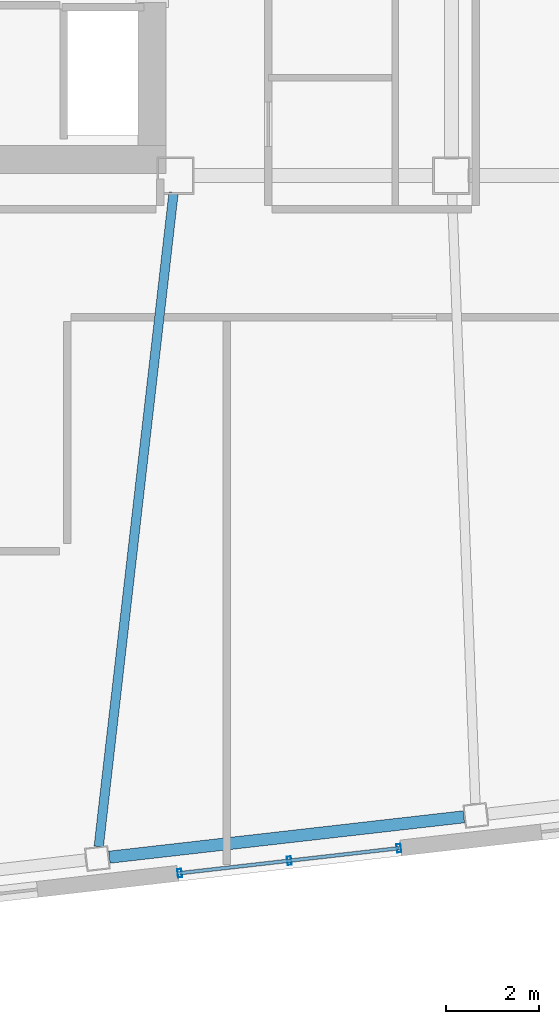
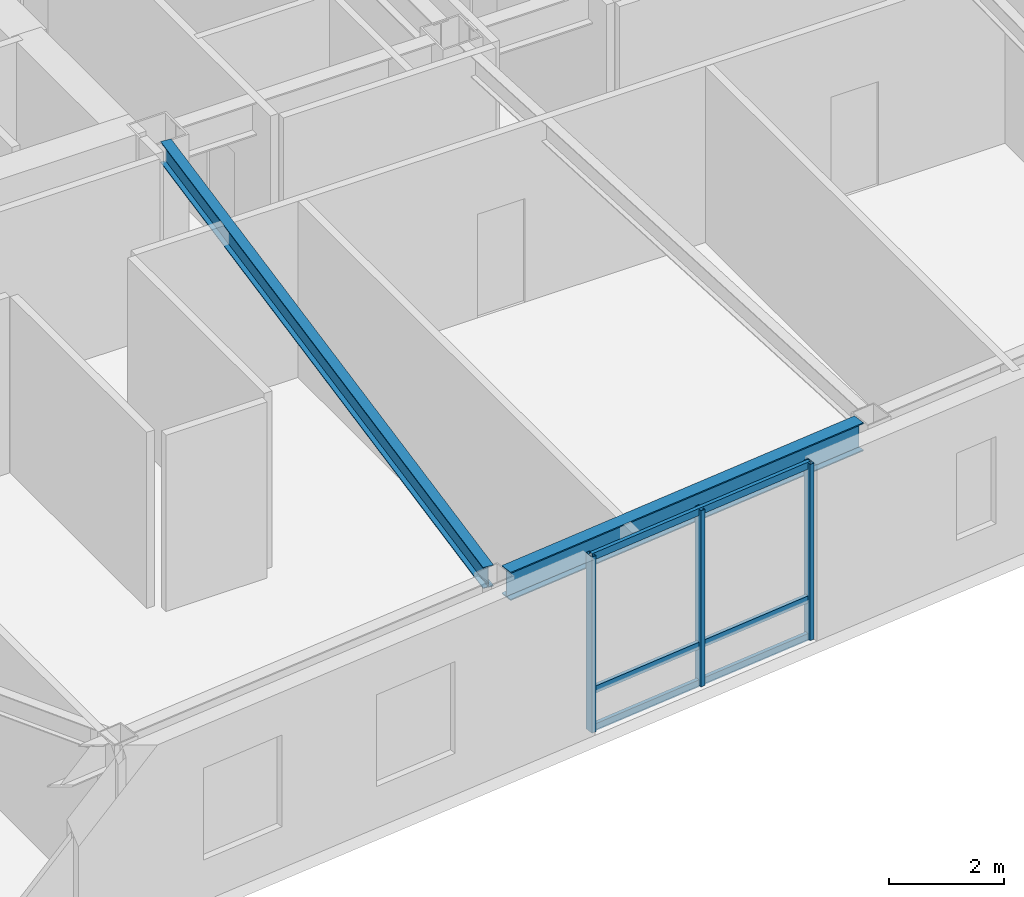
# One storey, part 6 of 19: 6 members, 2 beams, 1 element without a shape of its own.
"""IFC4 building model written with IfcOpenShell, lengths in metres."""

from ifc_helpers import new_model, si_unit, direction, frame, origin, origin_2d, place, context, subcontext, project, spatial, hollow_rectangle, i_section, extrude, material, layer, layer_set, material_profile, profile_set, type_object, element, aggregate, save


model = new_model("IFC4")

# Units and contexts
model_context = context("Model", 3, precision=1e-05, world=origin(), true_north=direction((0.0, 1.0)))
body_context = subcontext(model_context, "Body", "Model", "MODEL_VIEW")
ifc_project = project(units=[si_unit("LENGTHUNIT", "METRE"), si_unit("AREAUNIT", "SQUARE_METRE"), si_unit("VOLUMEUNIT", "CUBIC_METRE"), si_unit("PLANEANGLEUNIT", "RADIAN"), si_unit("MASSUNIT", "GRAM", prefix="KILO")], contexts=[model_context])

# Site, building, storey
site_placement = place(None, origin())
site = spatial("IfcSite", under=ifc_project, at=site_placement, CompositionType="ELEMENT")
building_placement = place(site_placement, origin())
building = spatial("IfcBuilding", under=site, at=building_placement, Name="Tavrogorsk Clinical Tower", CompositionType="ELEMENT")
storey_placement = place(building_placement, frame((0.0, 0.0, 243.0)))
storey = spatial("IfcBuildingStorey", under=building, at=storey_placement, Name="L56", CompositionType="ELEMENT", Elevation=243.0)

# Curtain wall, members
ifc_material_1 = material(Name="Anodised aluminium and triple IGU glazing", Category="aluminium")
ifc_layer = layer(ifc_material_1, 0.179931640625)
ifc_layer_set = layer_set([ifc_layer], Name="Anodised aluminium and triple IGU glazing")
curtain_wall_type = type_object("IfcCurtainWallType", Name="CW3_SouthSlot", PredefinedType="NOTDEFINED", material=ifc_layer_set)
curtain_wall_placement = place(storey_placement, origin())
curtain_wall = element("IfcCurtainWall", 1, at=curtain_wall_placement, inside=storey, type_object=curtain_wall_type, Name="L56 Curtain Wall CW-L56-S-SLOT-1", PredefinedType="NOTDEFINED")
ifc_material_2 = material(Name="Anodised aluminium alloy AW-6060", Category="aluminium")
ifc_material_profile_1 = material_profile(ifc_material_2, hollow_rectangle(XDim=0.090087890625, YDim=0.179931640625, WallThickness=0.00634765625, at=origin_2d()), Name="RHS-180x90x6.3")
ifc_profile_set_1 = profile_set([ifc_material_profile_1], Name="Anodised aluminium alloy AW-6060")
member_type_1 = type_object("IfcMemberType", Name="CwMullion_180x90", PredefinedType="MULLION", material=ifc_profile_set_1)
member_1_placement = place(storey_placement, frame((-10.21044921875, -21.270263671875, 0.0), z_axis=(0.0, 0.0, 1.0), x_axis=(0.993571855603, 0.11320321441, 0.0)))
member_1 = element("IfcMember", 2, at=member_1_placement, type_object=member_type_1, Name="CW-L56-S-SLOT-1 Mullion 1", PredefinedType="MULLION", context=body_context, shape_type="SweptSolid", body=[
    extrude(hollow_rectangle(XDim=0.090087890625, YDim=0.179931640625, WallThickness=0.00634765625, at=origin_2d()), origin(), (0.0, 0.0, 1.0), 3.739990234375),
])
member_2_placement = place(storey_placement, frame((-7.866455078125, -21.003173828125, 0.0), z_axis=(0.0, 0.0, 1.0), x_axis=(0.993571855603, 0.11320321441, 0.0)))
member_2 = element("IfcMember", 3, at=member_2_placement, type_object=member_type_1, Name="CW-L56-S-SLOT-1 Mullion 2", PredefinedType="MULLION", context=body_context, shape_type="SweptSolid", body=[
    extrude(hollow_rectangle(XDim=0.090087890625, YDim=0.179931640625, WallThickness=0.00634765625, at=origin_2d()), origin(), (0.0, 0.0, 1.0), 3.739990234375),
])
member_3_placement = place(storey_placement, frame((-5.522705078125, -20.736083984375, 0.0), z_axis=(0.0, 0.0, 1.0), x_axis=(0.993571855603, 0.11320321441, 0.0)))
member_3 = element("IfcMember", 4, at=member_3_placement, type_object=member_type_1, Name="CW-L56-S-SLOT-1 Mullion 3", PredefinedType="MULLION", context=body_context, shape_type="SweptSolid", body=[
    extrude(hollow_rectangle(XDim=0.090087890625, YDim=0.179931640625, WallThickness=0.00634765625, at=origin_2d()), origin(), (0.0, 0.0, 1.0), 3.739990234375),
])
ifc_material_3 = material(Name="Anodised aluminium alloy AW-6060", Category="aluminium")
ifc_material_profile_2 = material_profile(ifc_material_3, hollow_rectangle(XDim=0.074951171875, YDim=0.14990234375, WallThickness=0.0048828125, at=origin_2d()), Name="RHS-150x75x5")
ifc_profile_set_2 = profile_set([ifc_material_profile_2], Name="Anodised aluminium alloy AW-6060")
member_type_2 = type_object("IfcMemberType", Name="CwTransom_150x75", PredefinedType="USERDEFINED", material=ifc_profile_set_2)
member_4_placement = place(storey_placement, frame((-10.21044921875, -21.270263671875, 0.050048828125), z_axis=(0.993569979218, 0.113219682023, 0.0), x_axis=(-0.113219682023, 0.993569979218, 0.0)))
member_4 = element("IfcMember", 5, at=member_4_placement, type_object=member_type_2, Name="CW-L56-S-SLOT-1 Transom 1", ObjectType="TRANSOM", PredefinedType="USERDEFINED", context=body_context, shape_type="SweptSolid", body=[
    extrude(hollow_rectangle(XDim=0.074951171875, YDim=0.14990234375, WallThickness=0.0048828125, at=origin_2d()), origin(), (0.0, 0.0, 1.0), 4.718017578125),
])
member_5_placement = place(storey_placement, frame((-10.21044921875, -21.270263671875, 0.85009765625), z_axis=(0.993569979218, 0.113219682023, 0.0), x_axis=(-0.113219682023, 0.993569979218, 0.0)))
member_5 = element("IfcMember", 6, at=member_5_placement, type_object=member_type_2, Name="CW-L56-S-SLOT-1 Transom 2", ObjectType="TRANSOM", PredefinedType="USERDEFINED", context=body_context, shape_type="SweptSolid", body=[
    extrude(hollow_rectangle(XDim=0.074951171875, YDim=0.14990234375, WallThickness=0.0048828125, at=origin_2d()), origin(), (0.0, 0.0, 1.0), 4.718017578125),
])
member_6_placement = place(storey_placement, frame((-10.21044921875, -21.270263671875, 3.68994140625), z_axis=(0.993569979218, 0.113219682023, 0.0), x_axis=(-0.113219682023, 0.993569979218, 0.0)))
member_6 = element("IfcMember", 7, at=member_6_placement, type_object=member_type_2, Name="CW-L56-S-SLOT-1 Transom 3", ObjectType="TRANSOM", PredefinedType="USERDEFINED", context=body_context, shape_type="SweptSolid", body=[
    extrude(hollow_rectangle(XDim=0.074951171875, YDim=0.14990234375, WallThickness=0.0048828125, at=origin_2d()), origin(), (0.0, 0.0, 1.0), 4.718017578125),
])
aggregate(curtain_wall, [member_1, member_2, member_3, member_4, member_5, member_6])

# Beams
ifc_material_4 = material(Name="Structural steel S355", Category="steel")
ifc_material_profile_3 = material_profile(ifc_material_4, i_section(OverallWidth=0.199951171875, OverallDepth=0.449951171875, WebThickness=0.011474609375, FlangeThickness=0.01806640625, at=origin_2d()), Name="B-450x200x11.5x18")
ifc_profile_set_3 = profile_set([ifc_material_profile_3], Name="Structural steel S355")
beam_type_1 = type_object("IfcBeamType", Name="FloorBeam_B450", PredefinedType="BEAM", material=ifc_profile_set_3)
beam_1_placement = place(storey_placement, frame((-10.341064453125, -6.707763671875, 3.514892578125), z_axis=(-0.113743110947, -0.993510193562, 0.0), x_axis=(0.993510193562, -0.113743110947, 0.0)))
element("IfcBeam", 8, at=beam_1_placement, inside=storey, type_object=beam_type_1, Name="L56 Radial Floor Beam S3", PredefinedType="BEAM", context=body_context, shape_type="SweptSolid", body=[
    extrude(i_section(OverallWidth=0.199951171875, OverallDepth=0.449951171875, WebThickness=0.011474609375, FlangeThickness=0.01806640625, at=origin_2d()), origin(), (0.0, 0.0, 1.0), 14.084716796875),
])
ifc_material_5 = material(Name="Structural steel S390", Category="steel")
ifc_material_profile_4 = material_profile(ifc_material_5, i_section(OverallWidth=0.260009765625, OverallDepth=0.60009765625, WebThickness=0.014892578125, FlangeThickness=0.02392578125, at=origin_2d()), Name="B-600x260x15x24")
ifc_profile_set_4 = profile_set([ifc_material_profile_4], Name="Structural steel S390")
beam_type_2 = type_object("IfcBeamType", Name="SpandrelBeam_B600", PredefinedType="SPANDREL", material=ifc_profile_set_4)
beam_2_placement = place(storey_placement, frame((-11.716064453125, -20.928466796875, 3.43994140625), z_axis=(0.993572509708, 0.113197473259, 0.0), x_axis=(-0.113197473259, 0.993572509708, 0.0)))
element("IfcBeam", 9, at=beam_2_placement, inside=storey, type_object=beam_type_2, Name="L56 Perimeter Spandrel S3-S4", PredefinedType="SPANDREL", context=body_context, shape_type="SweptSolid", body=[
    extrude(i_section(OverallWidth=0.260009765625, OverallDepth=0.60009765625, WebThickness=0.014892578125, FlangeThickness=0.02392578125, at=origin_2d()), origin(), (0.0, 0.0, 1.0), 7.6328125),
])

save(model, "model.ifc")
